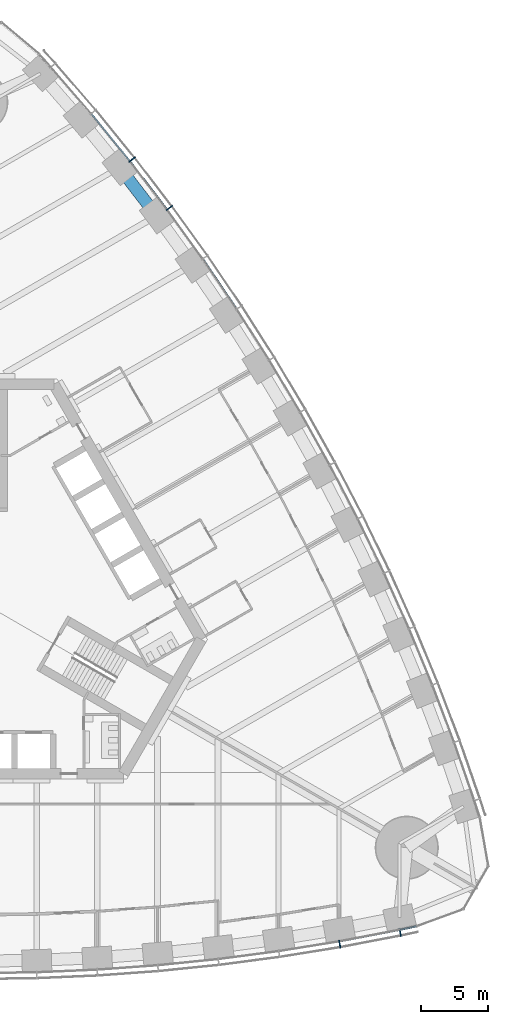
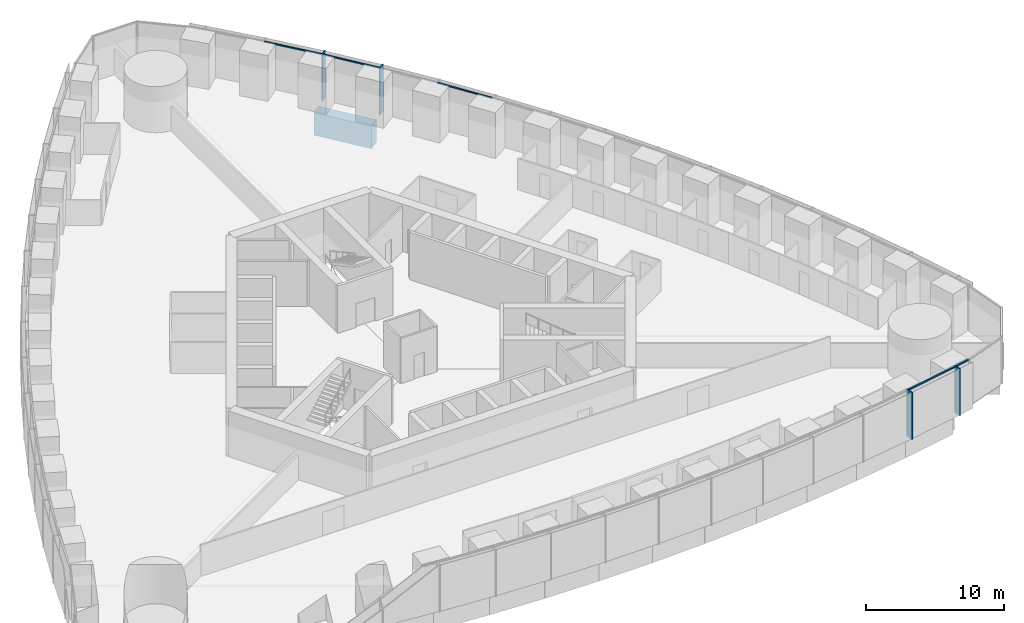
# One storey, part 5 of 19: 9 members, 1 beam, 2 elements without a shape of their own.
"""IFC4 building model written with IfcOpenShell, lengths in metres."""

from ifc_helpers import new_model, si_unit, direction, frame, origin, origin_2d, place, context, subcontext, project, spatial, rectangle, extrude, material, material_profile, profile_set, type_object, element, aggregate, save


model = new_model("IFC4")

# Units and contexts
model_context = context("Model", 3, precision=1e-05, world=origin(), true_north=direction((0.0, 1.0)))
body_context = subcontext(model_context, "Body", "Model", "MODEL_VIEW")
ifc_project = project(units=[si_unit("LENGTHUNIT", "METRE"), si_unit("AREAUNIT", "SQUARE_METRE"), si_unit("VOLUMEUNIT", "CUBIC_METRE"), si_unit("PLANEANGLEUNIT", "RADIAN"), si_unit("MASSUNIT", "GRAM", prefix="KILO")], contexts=[model_context])

# Site, building, storey
site_placement = place(None, origin())
site = spatial("IfcSite", under=ifc_project, at=site_placement, CompositionType="ELEMENT")
building_placement = place(site_placement, origin())
building = spatial("IfcBuilding", under=site, at=building_placement, Name="Trefoil Bronze Tower", CompositionType="ELEMENT")
storey_placement = place(building_placement, frame((0.0, 0.0, 83.699951171875)))
storey = spatial("IfcBuildingStorey", under=building, at=storey_placement, Name="L19", CompositionType="ELEMENT", Elevation=83.699951171875)

# Curtain wall, members
ifc_material_1 = material(Name="Tinted solar-control glass", Category="glass")
curtain_wall_type = type_object("IfcCurtainWallType", Name="Bronze office curtain wall", PredefinedType="USERDEFINED", material=ifc_material_1)
curtain_wall_1_placement = place(storey_placement, origin())
curtain_wall_1 = element("IfcCurtainWall", 1, at=curtain_wall_1_placement, inside=storey, type_object=curtain_wall_type, Name="CW-A L19 F1", ObjectType="CURTAIN WALL", PredefinedType="USERDEFINED")
ifc_material_2 = material(Name="Bronze-finish aluminium", Category="aluminium")
ifc_material_profile_1 = material_profile(ifc_material_2, rectangle(XDim=0.60009765625, YDim=0.080078125, at=origin_2d()), Name="CW-A mullion")
ifc_profile_set_1 = profile_set([ifc_material_profile_1], Name="Bronze-finish aluminium")
member_type_1 = type_object("IfcMemberType", Name="Bronze office curtain wall mullion", PredefinedType="MULLION", material=ifc_profile_set_1)
member_1_placement = place(storey_placement, frame((27.05224609375, -25.67578125, 0.0), z_axis=(0.0, 0.0, 1.0), x_axis=(-0.174131146426, 0.984722470468, 0.0)))
member_1 = element("IfcMember", 2, at=member_1_placement, type_object=member_type_1, Name="CW-A L19 F1 mullion 15", PredefinedType="MULLION", context=body_context, shape_type="SweptSolid", body=[
    extrude(rectangle(XDim=0.60009765625, YDim=0.080078125, at=origin_2d()), origin(), (0.0, 0.0, 1.0), 4.179931640625),
])
member_2_placement = place(storey_placement, frame((31.559326171875, -24.81005859375, 0.0), z_axis=(0.0, 0.0, 1.0), x_axis=(-0.197910006829, 0.98022019424, 0.0)))
member_2 = element("IfcMember", 3, at=member_2_placement, type_object=member_type_1, Name="CW-A L19 F1 mullion 16", PredefinedType="MULLION", context=body_context, shape_type="SweptSolid", body=[
    extrude(rectangle(XDim=0.60009765625, YDim=0.080078125, at=origin_2d()), origin(), (0.0, 0.0, 1.0), 4.179931640625),
])

curtain_wall_2_placement = place(storey_placement, origin())
curtain_wall_2 = element("IfcCurtainWall", 4, at=curtain_wall_2_placement, inside=storey, type_object=curtain_wall_type, Name="CW-A L19 F2", ObjectType="CURTAIN WALL", PredefinedType="USERDEFINED")
member_3_placement = place(storey_placement, frame((14.364013671875, 29.117919921875, 0.0), z_axis=(0.0, 0.0, 1.0), x_axis=(-0.802126748469, -0.59715381552, 0.0)))
member_3 = element("IfcMember", 5, at=member_3_placement, type_object=member_type_1, Name="CW-A L19 F2 mullion 13", PredefinedType="MULLION", context=body_context, shape_type="SweptSolid", body=[
    extrude(rectangle(XDim=0.60009765625, YDim=0.080078125, at=origin_2d()), origin(), (0.0, 0.0, 1.0), 4.179931640625),
])
member_4_placement = place(storey_placement, frame((11.595458984375, 32.7255859375, 0.0), z_axis=(0.0, 0.0, 1.0), x_axis=(-0.784304615744, -0.620375910011, 0.0)))
member_4 = element("IfcMember", 6, at=member_4_placement, type_object=member_type_1, Name="CW-A L19 F2 mullion 14", PredefinedType="MULLION", context=body_context, shape_type="SweptSolid", body=[
    extrude(rectangle(XDim=0.60009765625, YDim=0.080078125, at=origin_2d()), origin(), (0.0, 0.0, 1.0), 4.179931640625),
])

# Member
ifc_material_3 = material(Name="Bronze-finish aluminium", Category="aluminium")
ifc_material_profile_2 = material_profile(ifc_material_3, rectangle(XDim=0.1201171875, YDim=0.10009765625, at=origin_2d()), Name="CW-A transom")
ifc_profile_set_2 = profile_set([ifc_material_profile_2], Name="Bronze-finish aluminium")
member_type_2 = type_object("IfcMemberType", Name="Bronze office curtain wall transom", PredefinedType="USERDEFINED", material=ifc_profile_set_2)
member_5_placement = place(storey_placement, frame((27.05810546875, -25.470947265625, 4.130126953125), z_axis=(0.982053603997, 0.188602011855, 0.0), x_axis=(-0.188602011855, 0.982053603997, 0.0)))
member_5 = element("IfcMember", 7, at=member_5_placement, type_object=member_type_2, Name="CW-A L19 F1 transom 15", ObjectType="TRANSOM", PredefinedType="USERDEFINED", context=body_context, shape_type="SweptSolid", body=[
    extrude(rectangle(XDim=0.1201171875, YDim=0.10009765625, at=origin_2d()), origin(), (0.0, 0.0, 1.0), 4.502197265625),
])

member_6_placement = place(storey_placement, frame((31.559814453125, -24.605712890625, 4.130126953125), z_axis=(0.978266371807, 0.207352129942, 0.0), x_axis=(-0.207352129942, 0.978266371807, 0.0)))
member_6 = element("IfcMember", 8, at=member_6_placement, type_object=member_type_2, Name="CW-A L19 F1 transom 16", ObjectType="TRANSOM", PredefinedType="USERDEFINED", context=body_context, shape_type="SweptSolid", body=[
    extrude(rectangle(XDim=0.1201171875, YDim=0.10009765625, at=origin_2d()), origin(), (0.0, 0.0, 1.0), 1.21044921875),
])

aggregate(curtain_wall_1, [member_1, member_2, member_5, member_6])

member_7_placement = place(storey_placement, frame((19.364990234375, 21.627197265625, 4.130126953125), z_axis=(-0.561508153923, 0.827471203775, 0.0), x_axis=(-0.827471203775, -0.561508153923, 0.0)))
member_7 = element("IfcMember", 9, at=member_7_placement, type_object=member_type_2, Name="CW-A L19 F2 transom 11", ObjectType="TRANSOM", PredefinedType="USERDEFINED", context=body_context, shape_type="SweptSolid", body=[
    extrude(rectangle(XDim=0.1201171875, YDim=0.10009765625, at=origin_2d()), origin(), (0.0, 0.0, 1.0), 4.431884765625),
])

member_8_placement = place(storey_placement, frame((14.178466796875, 29.031494140625, 4.130126953125), z_axis=(-0.608829203216, 0.793301330713, 0.0), x_axis=(-0.793301330713, -0.608829203216, 0.0)))
member_8 = element("IfcMember", 10, at=member_8_placement, type_object=member_type_2, Name="CW-A L19 F2 transom 13", ObjectType="TRANSOM", PredefinedType="USERDEFINED", context=body_context, shape_type="SweptSolid", body=[
    extrude(rectangle(XDim=0.1201171875, YDim=0.10009765625, at=origin_2d()), origin(), (0.0, 0.0, 1.0), 4.458740234375),
])

member_9_placement = place(storey_placement, frame((11.412353515625, 32.6337890625, 4.130126953125), z_axis=(-0.631835540201, 0.775102477185, 0.0), x_axis=(-0.775102477185, -0.631835540201, 0.0)))
member_9 = element("IfcMember", 11, at=member_9_placement, type_object=member_type_2, Name="CW-A L19 F2 transom 14", ObjectType="TRANSOM", PredefinedType="USERDEFINED", context=body_context, shape_type="SweptSolid", body=[
    extrude(rectangle(XDim=0.1201171875, YDim=0.10009765625, at=origin_2d()), origin(), (0.0, 0.0, 1.0), 4.478271484375),
])

aggregate(curtain_wall_2, [member_3, member_4, member_7, member_8, member_9])

# Beam
ifc_material_4 = material(Name="Concrete B80", Category="concrete")
ifc_material_profile_3 = material_profile(ifc_material_4, rectangle(XDim=0.89990234375, YDim=2.0, at=origin_2d()), Name="RC 900x2000")
ifc_profile_set_3 = profile_set([ifc_material_profile_3], Name="Concrete B80")
beam_type = type_object("IfcBeamType", Name="Spandrel beam RC 900x2000", PredefinedType="SPANDREL", material=ifc_profile_set_3)
beam_placement = place(storey_placement, frame((13.42578125, 28.5361328125, -1.199951171875), z_axis=(-0.609338992146, 0.792909826305, 0.0), x_axis=(-0.792909826305, -0.609338992146, 0.0)))
element("IfcBeam", 12, at=beam_placement, inside=storey, type_object=beam_type, Name="Spandrel F2.13 L19", PredefinedType="SPANDREL", context=body_context, shape_type="SweptSolid", body=[
    extrude(rectangle(XDim=0.89990234375, YDim=2.0, at=origin_2d()), origin(), (0.0, 0.0, 1.0), 4.5390625),
])

save(model, "model.ifc")
